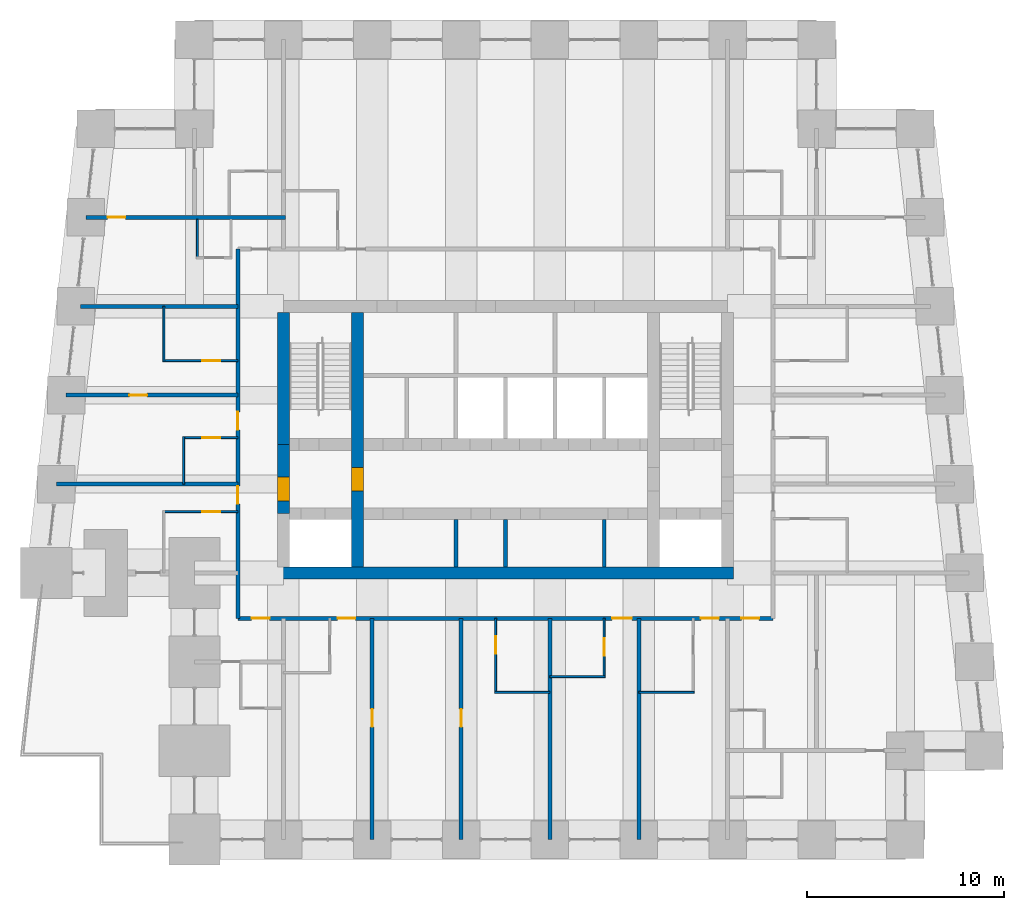
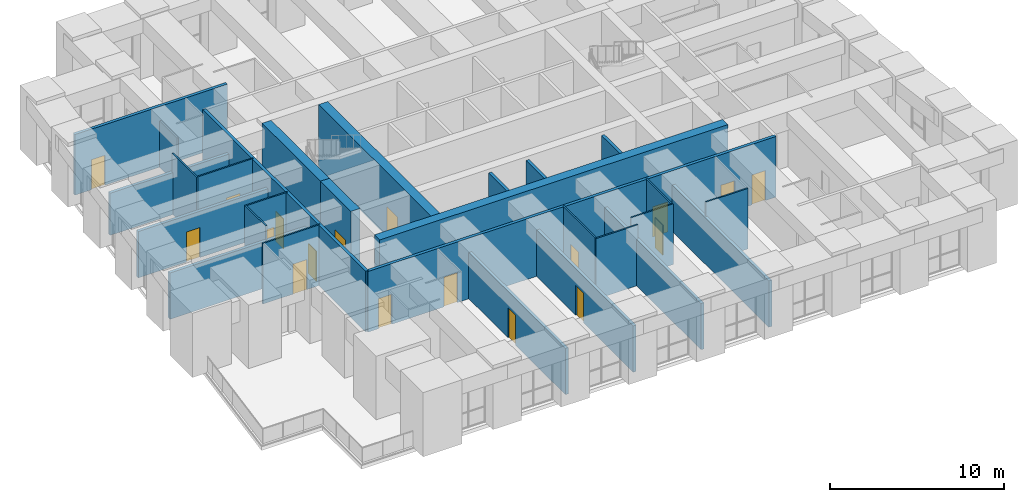
# One storey, part 12 of 16: 28 walls, 18 doors, 18 openings.
"""IFC4 building model written with IfcOpenShell, lengths in metres."""

from ifc_helpers import new_model, si_unit, direction, frame, frame_2d, origin, place, context, subcontext, project, spatial, rectangle, extrude, material, layer, layer_set, type_object, element, fill, save


model = new_model("IFC4")

# Units and contexts
model_context = context("Model", 3, precision=1e-05, world=origin(), true_north=direction((0.0, 1.0)))
body_context = subcontext(model_context, "Body", "Model", "MODEL_VIEW")
ifc_project = project(units=[si_unit("LENGTHUNIT", "METRE"), si_unit("AREAUNIT", "SQUARE_METRE"), si_unit("VOLUMEUNIT", "CUBIC_METRE"), si_unit("PLANEANGLEUNIT", "RADIAN"), si_unit("MASSUNIT", "GRAM", prefix="KILO")], contexts=[model_context])

# Site, building, storey
site_placement = place(None, origin())
site = spatial("IfcSite", under=ifc_project, at=site_placement, CompositionType="ELEMENT")
building_placement = place(site_placement, origin())
building = spatial("IfcBuilding", under=site, at=building_placement, Name="Kilele Tower Hotel", CompositionType="ELEMENT")
storey_placement = place(building_placement, frame((0.0, 0.0, 157.89990234375)))
storey = spatial("IfcBuildingStorey", under=building, at=storey_placement, Name="L40", CompositionType="ELEMENT", Elevation=157.89990234375)

# Wall
ifc_material_1 = material(Name="Moisture-resistant board")
ifc_layer_1 = layer(ifc_material_1, 0.10009765625)
ifc_layer_set_1 = layer_set([ifc_layer_1], Name="Moisture-resistant board")
wall_type_1 = type_object("IfcWallType", Name="Bathroom partition 100", PredefinedType="PLUMBINGWALL", material=ifc_layer_set_1)
wall_1_placement = place(storey_placement, frame((24.199951171875, 7.449951171875, 0.0), z_axis=(0.0, 0.0, 1.0), x_axis=(1.0, 0.0, 0.0)))
element("IfcWall", 1, at=wall_1_placement, inside=storey, type_object=wall_type_1, Name="Bathroom partition 100 L40", PredefinedType="PLUMBINGWALL", context=body_context, shape_type="SweptSolid", body=[
    extrude(rectangle(XDim=2.800048828125, YDim=0.10009765625, at=frame_2d((1.39990234375, 0.0))), origin(), (0.0, 0.0, 1.0), 4.25),
])

# Wall, opening, door
wall_2_placement = place(storey_placement, frame((24.25, 11.199951171875, 0.0), z_axis=(0.0, 0.0, 1.0), x_axis=(0.0, -1.0, 0.0)))
wall_2 = element("IfcWall", 2, at=wall_2_placement, inside=storey, type_object=wall_type_1, Name="Bathroom partition 100 L40", PredefinedType="PLUMBINGWALL", context=body_context, shape_type="SweptSolid", body=[
    extrude(rectangle(XDim=3.800048828125, YDim=0.10009765625, at=frame_2d((1.89990234375, 0.0))), origin(), (0.0, 0.0, 1.0), 4.25),
])
opening_1_placement = place(wall_2_placement, frame((1.7998046875, 0.0, 0.0), z_axis=(0.0, 0.0, 1.0), x_axis=(-1.0, 0.0, 0.0)))
opening_1 = element("IfcOpeningElement", 3, at=opening_1_placement, cuts=wall_2, Name="Opening D2A", PredefinedType="OPENING", context=body_context, shape_type="SweptSolid", body=[
    extrude(rectangle(XDim=0.89990234375, YDim=2.10009765625, at=frame_2d((0.449951171875, 1.050048828125))), frame((0.0, 0.06005859375, 0.0), z_axis=(0.0, -1.0, 0.0), x_axis=(1.0, 0.0, 0.0)), (0.0, 0.0, 1.0), 0.1201171875),
])
ifc_material_2 = material(Name="Timber door leaf in hardwood frame", Category="wood")
door_type_1 = type_object("IfcDoorType", Name="Bathroom door 900", OperationType="SINGLE_SWING_LEFT", PredefinedType="DOOR", material=ifc_material_2)
door_1_placement = place(opening_1_placement, origin())
door_1 = element("IfcDoor", 4, at=door_1_placement, inside=storey, type_object=door_type_1, Name="Bathroom door 4003B", OperationType="SINGLE_SWING_RIGHT", OverallHeight=2.10009765625, OverallWidth=0.89990234375, PredefinedType="DOOR", context=body_context, shape_type="SweptSolid", body=[
    extrude(rectangle(XDim=0.89990234375, YDim=2.10009765625, at=frame_2d((0.449951171875, 1.050048828125))), frame((0.0, 0.02490234375, 0.0), z_axis=(0.0, -1.0, 0.0), x_axis=(1.0, 0.0, 0.0)), (0.0, 0.0, 1.0), 0.050048828125),
])
fill(opening_1, door_1)

# Wall
wall_3_placement = place(storey_placement, frame((27.0, 8.25, 0.0), z_axis=(0.0, 0.0, 1.0), x_axis=(1.0, 0.0, 0.0)))
element("IfcWall", 5, at=wall_3_placement, inside=storey, type_object=wall_type_1, Name="Bathroom partition 100 L40", PredefinedType="PLUMBINGWALL", context=body_context, shape_type="SweptSolid", body=[
    extrude(rectangle(XDim=2.800048828125, YDim=0.10009765625, at=frame_2d((1.39990234375, 0.0))), origin(), (0.0, 0.0, 1.0), 4.25),
])

# Wall, opening, door
wall_4_placement = place(storey_placement, frame((29.75, 11.199951171875, 0.0), z_axis=(0.0, 0.0, 1.0), x_axis=(0.0, -1.0, 0.0)))
wall_4 = element("IfcWall", 6, at=wall_4_placement, inside=storey, type_object=wall_type_1, Name="Bathroom partition 100 L40", PredefinedType="PLUMBINGWALL", context=body_context, shape_type="SweptSolid", body=[
    extrude(rectangle(XDim=3.0, YDim=0.10009765625, at=frame_2d((1.5, 0.0))), origin(), (0.0, 0.0, 1.0), 4.25),
])
opening_2_placement = place(wall_4_placement, frame((1.0, 0.0, 0.0)))
opening_2 = element("IfcOpeningElement", 7, at=opening_2_placement, cuts=wall_4, Name="Opening D2A", PredefinedType="OPENING", context=body_context, shape_type="SweptSolid", body=[
    extrude(rectangle(XDim=0.89990234375, YDim=2.10009765625, at=frame_2d((0.449951171875, 1.050048828125))), frame((0.0, 0.06005859375, 0.0), z_axis=(0.0, -1.0, 0.0), x_axis=(1.0, 0.0, 0.0)), (0.0, 0.0, 1.0), 0.1201171875),
])
door_2_placement = place(opening_2_placement, origin())
door_2 = element("IfcDoor", 8, at=door_2_placement, inside=storey, type_object=door_type_1, Name="Bathroom door 4004B", OperationType="SINGLE_SWING_LEFT", OverallHeight=2.10009765625, OverallWidth=0.89990234375, PredefinedType="DOOR", context=body_context, shape_type="SweptSolid", body=[
    extrude(rectangle(XDim=0.89990234375, YDim=2.10009765625, at=frame_2d((0.449951171875, 1.050048828125))), frame((0.0, 0.02490234375, 0.0), z_axis=(0.0, -1.0, 0.0), x_axis=(1.0, 0.0, 0.0)), (0.0, 0.0, 1.0), 0.050048828125),
])
fill(opening_2, door_2)

# Wall
wall_5_placement = place(storey_placement, frame((31.5, 7.449951171875, 0.0), z_axis=(0.0, 0.0, 1.0), x_axis=(1.0, 0.0, 0.0)))
element("IfcWall", 9, at=wall_5_placement, inside=storey, type_object=wall_type_1, Name="Bathroom partition 100 L40", PredefinedType="PLUMBINGWALL", context=body_context, shape_type="SweptSolid", body=[
    extrude(rectangle(XDim=2.800048828125, YDim=0.10009765625, at=frame_2d((1.39990234375, 0.0))), origin(), (0.0, 0.0, 1.0), 4.25),
])

# Wall, opening, door
wall_6_placement = place(storey_placement, frame((11.199951171875, 16.60009765625, 0.0), z_axis=(0.0, 0.0, 1.0), x_axis=(-1.0, 0.0, 0.0)))
wall_6 = element("IfcWall", 10, at=wall_6_placement, inside=storey, type_object=wall_type_1, Name="Bathroom partition 100 L40", PredefinedType="PLUMBINGWALL", context=body_context, shape_type="SweptSolid", body=[
    extrude(rectangle(XDim=3.800048828125, YDim=0.10009765625, at=frame_2d((1.89990234375, 0.0))), origin(), (0.0, 0.0, 1.0), 4.25),
])
opening_3_placement = place(wall_6_placement, frame((1.7998046875, 0.0, 0.0), z_axis=(0.0, 0.0, 1.0), x_axis=(-1.0, 0.0, 0.0)))
opening_3 = element("IfcOpeningElement", 11, at=opening_3_placement, cuts=wall_6, Name="Opening D2A", PredefinedType="OPENING", context=body_context, shape_type="SweptSolid", body=[
    extrude(rectangle(XDim=0.89990234375, YDim=2.10009765625, at=frame_2d((0.449951171875, 1.050048828125))), frame((0.0, 0.06005859375, 0.0), z_axis=(0.0, -1.0, 0.0), x_axis=(1.0, 0.0, 0.0)), (0.0, 0.0, 1.0), 0.1201171875),
])
door_3_placement = place(opening_3_placement, origin())
door_3 = element("IfcDoor", 12, at=door_3_placement, inside=storey, type_object=door_type_1, Name="Bathroom door 4010B", OperationType="SINGLE_SWING_RIGHT", OverallHeight=2.10009765625, OverallWidth=0.89990234375, PredefinedType="DOOR", context=body_context, shape_type="SweptSolid", body=[
    extrude(rectangle(XDim=0.89990234375, YDim=2.10009765625, at=frame_2d((0.449951171875, 1.050048828125))), frame((0.0, 0.02490234375, 0.0), z_axis=(0.0, -1.0, 0.0), x_axis=(1.0, 0.0, 0.0)), (0.0, 0.0, 1.0), 0.050048828125),
])
fill(opening_3, door_3)

# Wall
wall_7_placement = place(storey_placement, frame((8.449951171875, 18.0, 0.0), z_axis=(0.0, 0.0, 1.0), x_axis=(0.0, 1.0, 0.0)))
element("IfcWall", 13, at=wall_7_placement, inside=storey, type_object=wall_type_1, Name="Bathroom partition 100 L40", PredefinedType="PLUMBINGWALL", context=body_context, shape_type="SweptSolid", body=[
    extrude(rectangle(XDim=2.39990234375, YDim=0.10009765625, at=frame_2d((1.199951171875, 0.0))), origin(), (0.0, 0.0, 1.0), 4.25),
])

# Wall, opening, door
wall_8_placement = place(storey_placement, frame((11.199951171875, 20.35009765625, 0.0), z_axis=(0.0, 0.0, 1.0), x_axis=(-1.0, 0.0, 0.0)))
wall_8 = element("IfcWall", 14, at=wall_8_placement, inside=storey, type_object=wall_type_1, Name="Bathroom partition 100 L40", PredefinedType="PLUMBINGWALL", context=body_context, shape_type="SweptSolid", body=[
    extrude(rectangle(XDim=2.800048828125, YDim=0.10009765625, at=frame_2d((1.39990234375, 0.0))), origin(), (0.0, 0.0, 1.0), 4.25),
])
opening_4_placement = place(wall_8_placement, frame((1.7998046875, 0.0, 0.0), z_axis=(0.0, 0.0, 1.0), x_axis=(-1.0, 0.0, 0.0)))
opening_4 = element("IfcOpeningElement", 15, at=opening_4_placement, cuts=wall_8, Name="Opening D2A", PredefinedType="OPENING", context=body_context, shape_type="SweptSolid", body=[
    extrude(rectangle(XDim=0.89990234375, YDim=2.10009765625, at=frame_2d((0.449951171875, 1.050048828125))), frame((0.0, 0.06005859375, 0.0), z_axis=(0.0, -1.0, 0.0), x_axis=(1.0, 0.0, 0.0)), (0.0, 0.0, 1.0), 0.1201171875),
])
door_4_placement = place(opening_4_placement, origin())
door_4 = element("IfcDoor", 16, at=door_4_placement, inside=storey, type_object=door_type_1, Name="Bathroom door 4011B", OperationType="SINGLE_SWING_RIGHT", OverallHeight=2.10009765625, OverallWidth=0.89990234375, PredefinedType="DOOR", context=body_context, shape_type="SweptSolid", body=[
    extrude(rectangle(XDim=0.89990234375, YDim=2.10009765625, at=frame_2d((0.449951171875, 1.050048828125))), frame((0.0, 0.02490234375, 0.0), z_axis=(0.0, -1.0, 0.0), x_axis=(1.0, 0.0, 0.0)), (0.0, 0.0, 1.0), 0.050048828125),
])
fill(opening_4, door_4)

# Wall
wall_9_placement = place(storey_placement, frame((7.449951171875, 24.199951171875, 0.0), z_axis=(0.0, 0.0, 1.0), x_axis=(0.0, 1.0, 0.0)))
element("IfcWall", 17, at=wall_9_placement, inside=storey, type_object=wall_type_1, Name="Bathroom partition 100 L40", PredefinedType="PLUMBINGWALL", context=body_context, shape_type="SweptSolid", body=[
    extrude(rectangle(XDim=2.800048828125, YDim=0.10009765625, at=frame_2d((1.39990234375, 0.0))), origin(), (0.0, 0.0, 1.0), 4.25),
])

# Wall, opening, door
wall_10_placement = place(storey_placement, frame((11.199951171875, 24.25, 0.0), z_axis=(0.0, 0.0, 1.0), x_axis=(-1.0, 0.0, 0.0)))
wall_10 = element("IfcWall", 18, at=wall_10_placement, inside=storey, type_object=wall_type_1, Name="Bathroom partition 100 L40", PredefinedType="PLUMBINGWALL", context=body_context, shape_type="SweptSolid", body=[
    extrude(rectangle(XDim=3.800048828125, YDim=0.10009765625, at=frame_2d((1.89990234375, 0.0))), origin(), (0.0, 0.0, 1.0), 4.25),
])
opening_5_placement = place(wall_10_placement, frame((0.89990234375, 0.0, 0.0)))
opening_5 = element("IfcOpeningElement", 19, at=opening_5_placement, cuts=wall_10, Name="Opening D2A", PredefinedType="OPENING", context=body_context, shape_type="SweptSolid", body=[
    extrude(rectangle(XDim=0.89990234375, YDim=2.10009765625, at=frame_2d((0.449951171875, 1.050048828125))), frame((0.0, 0.06005859375, 0.0), z_axis=(0.0, -1.0, 0.0), x_axis=(1.0, 0.0, 0.0)), (0.0, 0.0, 1.0), 0.1201171875),
])
door_5_placement = place(opening_5_placement, origin())
door_5 = element("IfcDoor", 20, at=door_5_placement, inside=storey, type_object=door_type_1, Name="Bathroom door 4012B", OperationType="SINGLE_SWING_LEFT", OverallHeight=2.10009765625, OverallWidth=0.89990234375, PredefinedType="DOOR", context=body_context, shape_type="SweptSolid", body=[
    extrude(rectangle(XDim=0.89990234375, YDim=2.10009765625, at=frame_2d((0.449951171875, 1.050048828125))), frame((0.0, 0.02490234375, 0.0), z_axis=(0.0, -1.0, 0.0), x_axis=(1.0, 0.0, 0.0)), (0.0, 0.0, 1.0), 0.050048828125),
])
fill(opening_5, door_5)

# Walls
wall_11_placement = place(storey_placement, frame((9.14990234375, 31.39990234375, 0.0), z_axis=(0.0, 0.0, 1.0), x_axis=(0.0, -1.0, 0.0)))
element("IfcWall", 21, at=wall_11_placement, inside=storey, type_object=wall_type_1, Name="Bathroom partition 100 L40", PredefinedType="PLUMBINGWALL", context=body_context, shape_type="SweptSolid", body=[
    extrude(rectangle(XDim=2.0, YDim=0.10009765625, at=frame_2d((1.0, 0.0))), origin(), (0.0, 0.0, 1.0), 3.25),
])
ifc_material_3 = material(Name="Concrete C70/85", Category="concrete")
ifc_layer_2 = layer(ifc_material_3, 0.60009765625)
ifc_layer_set_2 = layer_set([ifc_layer_2], Name="Concrete C70/85")
wall_type_2 = type_object("IfcWallType", Name="Core wall 600 C70/85", PredefinedType="SHEAR", material=ifc_layer_set_2)
wall_12_placement = place(storey_placement, frame((13.199951171875, 13.5, 0.0), z_axis=(0.0, 0.0, 1.0), x_axis=(1.0, 0.0, 0.0)))
element("IfcWall", 22, at=wall_12_placement, inside=storey, type_object=wall_type_2, Name="Core wall S L40", PredefinedType="SHEAR", context=body_context, shape_type="SweptSolid", body=[
    extrude(rectangle(XDim=23.10009765625, YDim=0.60009765625, at=frame_2d((11.550048828125, 0.0))), origin(), (0.0, 0.0, 1.0), 4.5),
])

# Wall, opening, door
wall_13_placement = place(storey_placement, frame((17.25, 13.800048828125, 0.0), z_axis=(0.0, 0.0, 1.0), x_axis=(0.0, 1.0, 0.0)))
wall_13 = element("IfcWall", 23, at=wall_13_placement, inside=storey, type_object=wall_type_2, Name="Core wall IW L40", PredefinedType="SHEAR", context=body_context, shape_type="SweptSolid", body=[
    extrude(rectangle(XDim=12.89990234375, YDim=0.60009765625, at=frame_2d((6.449951171875, 0.0))), origin(), (0.0, 0.0, 1.0), 4.5),
])
opening_6_placement = place(wall_13_placement, frame((3.85009765625, 0.0, 0.0)))
opening_6 = element("IfcOpeningElement", 24, at=opening_6_placement, cuts=wall_13, Name="Opening D4", PredefinedType="OPENING", context=body_context, shape_type="SweptSolid", body=[
    extrude(rectangle(XDim=1.199951171875, YDim=2.10009765625, at=frame_2d((0.60009765625, 1.050048828125))), frame((0.0, 0.31005859375, 0.0), z_axis=(0.0, -1.0, 0.0), x_axis=(1.0, 0.0, 0.0)), (0.0, 0.0, 1.0), 0.6201171875),
])
ifc_material_4 = material(Name="Timber door leaf in hardwood frame", Category="wood")
door_type_2 = type_object("IfcDoorType", Name="Firefighting lobby door 1200", OperationType="SINGLE_SWING_LEFT", PredefinedType="DOOR", material=ifc_material_4)
door_6_placement = place(opening_6_placement, origin())
door_6 = element("IfcDoor", 25, at=door_6_placement, inside=storey, type_object=door_type_2, Name="Lobby door L40", OperationType="SINGLE_SWING_LEFT", OverallHeight=2.10009765625, OverallWidth=1.199951171875, PredefinedType="DOOR", context=body_context, shape_type="SweptSolid", body=[
    extrude(rectangle(XDim=1.199951171875, YDim=2.10009765625, at=frame_2d((0.60009765625, 1.050048828125))), frame((0.0, 0.2998046875, 0.0), z_axis=(0.0, -1.0, 0.0), x_axis=(1.0, 0.0, 0.0)), (0.0, 0.0, 1.0), 0.599609375),
])
fill(opening_6, door_6)

# Wall
wall_14_placement = place(storey_placement, frame((13.5, 26.699951171875, 0.0), z_axis=(0.0, 0.0, 1.0), x_axis=(0.0, -1.0, 0.0)))
element("IfcWall", 26, at=wall_14_placement, inside=storey, type_object=wall_type_2, Name="Core wall W1 L40", PredefinedType="SHEAR", context=body_context, shape_type="SweptSolid", body=[
    extrude(rectangle(XDim=6.699951171875, YDim=0.60009765625, at=frame_2d((3.35009765625, 0.0))), origin(), (0.0, 0.0, 1.0), 4.5),
])

# Wall, opening, door
wall_15_placement = place(storey_placement, frame((13.5, 20.0, 0.0), z_axis=(0.0, 0.0, 1.0), x_axis=(0.0, -1.0, 0.0)))
wall_15 = element("IfcWall", 27, at=wall_15_placement, inside=storey, type_object=wall_type_2, Name="Core wall W2 L40", PredefinedType="SHEAR", context=body_context, shape_type="SweptSolid", body=[
    extrude(rectangle(XDim=3.5, YDim=0.60009765625, at=frame_2d((1.75, 0.0))), origin(), (0.0, 0.0, 1.0), 4.5),
])
opening_7_placement = place(wall_15_placement, frame((1.64990234375, 0.0, 0.0)))
opening_7 = element("IfcOpeningElement", 28, at=opening_7_placement, cuts=wall_15, Name="Opening D4", PredefinedType="OPENING", context=body_context, shape_type="SweptSolid", body=[
    extrude(rectangle(XDim=1.199951171875, YDim=2.10009765625, at=frame_2d((0.60009765625, 1.050048828125))), frame((0.0, 0.31005859375, 0.0), z_axis=(0.0, -1.0, 0.0), x_axis=(1.0, 0.0, 0.0)), (0.0, 0.0, 1.0), 0.6201171875),
])
door_7_placement = place(opening_7_placement, origin())
door_7 = element("IfcDoor", 29, at=door_7_placement, inside=storey, type_object=door_type_2, Name="Lobby door L40", OperationType="SINGLE_SWING_RIGHT", OverallHeight=2.10009765625, OverallWidth=1.199951171875, PredefinedType="DOOR", context=body_context, shape_type="SweptSolid", body=[
    extrude(rectangle(XDim=1.199951171875, YDim=2.10009765625, at=frame_2d((0.60009765625, 1.050048828125))), frame((0.0, 0.2998046875, 0.0), z_axis=(0.0, -1.0, 0.0), x_axis=(1.0, 0.0, 0.0)), (0.0, 0.0, 1.0), 0.599609375),
])
fill(opening_7, door_7)

# Wall, openings, doors
ifc_material_5 = material(Name="Blockwork, plastered both sides", Category="masonry")
ifc_layer_3 = layer(ifc_material_5, 0.199951171875)
ifc_layer_set_3 = layer_set([ifc_layer_3], Name="Blockwork, plastered both sides")
wall_type_3 = type_object("IfcWallType", Name="Corridor wall 200", PredefinedType="PARTITIONING", material=ifc_layer_set_3)
wall_16_placement = place(storey_placement, frame((11.199951171875, 11.199951171875, 0.0), z_axis=(0.0, 0.0, 1.0), x_axis=(1.0, 0.0, 0.0)))
wall_16 = element("IfcWall", 30, at=wall_16_placement, inside=storey, type_object=wall_type_3, Name="Corridor wall 200 L40", PredefinedType="PARTITIONING", context=body_context, shape_type="SweptSolid", body=[
    extrude(rectangle(XDim=27.10009765625, YDim=0.199951171875, at=frame_2d((13.550048828125, 0.0))), origin(), (0.0, 0.0, 1.0), 4.25),
])
opening_8_placement = place(wall_16_placement, frame((5.949951171875, 0.0, 0.0), z_axis=(0.0, 0.0, 1.0), x_axis=(-1.0, 0.0, 0.0)))
opening_8 = element("IfcOpeningElement", 31, at=opening_8_placement, cuts=wall_16, Name="Opening D1", PredefinedType="OPENING", context=body_context, shape_type="SweptSolid", body=[
    extrude(rectangle(XDim=0.89990234375, YDim=2.10009765625, at=frame_2d((0.449951171875, 1.050048828125))), frame((0.0, 0.10986328125, 0.0), z_axis=(0.0, -1.0, 0.0), x_axis=(1.0, 0.0, 0.0)), (0.0, 0.0, 1.0), 0.219970703125),
])
opening_9_placement = place(wall_16_placement, frame((19.949951171875, 0.0, 0.0), z_axis=(0.0, 0.0, 1.0), x_axis=(-1.0, 0.0, 0.0)))
opening_9 = element("IfcOpeningElement", 32, at=opening_9_placement, cuts=wall_16, Name="Opening D1A", PredefinedType="OPENING", context=body_context, shape_type="SweptSolid", body=[
    extrude(rectangle(XDim=1.0, YDim=2.10009765625, at=frame_2d((0.5, 1.050048828125))), frame((0.0, 0.10986328125, 0.0), z_axis=(0.0, -1.0, 0.0), x_axis=(1.0, 0.0, 0.0)), (0.0, 0.0, 1.0), 0.219970703125),
])
opening_10_placement = place(wall_16_placement, frame((24.349853515625, 0.0, 0.0), z_axis=(0.0, 0.0, 1.0), x_axis=(-1.0, 0.0, 0.0)))
opening_10 = element("IfcOpeningElement", 33, at=opening_10_placement, cuts=wall_16, Name="Opening D1", PredefinedType="OPENING", context=body_context, shape_type="SweptSolid", body=[
    extrude(rectangle(XDim=0.89990234375, YDim=2.10009765625, at=frame_2d((0.449951171875, 1.050048828125))), frame((0.0, 0.10986328125, 0.0), z_axis=(0.0, -1.0, 0.0), x_axis=(1.0, 0.0, 0.0)), (0.0, 0.0, 1.0), 0.219970703125),
])
opening_11_placement = place(wall_16_placement, frame((1.599853515625, 0.0, 0.0), z_axis=(0.0, 0.0, 1.0), x_axis=(-1.0, 0.0, 0.0)))
opening_11 = element("IfcOpeningElement", 34, at=opening_11_placement, cuts=wall_16, Name="Opening D1", PredefinedType="OPENING", context=body_context, shape_type="SweptSolid", body=[
    extrude(rectangle(XDim=0.89990234375, YDim=2.10009765625, at=frame_2d((0.449951171875, 1.050048828125))), frame((0.0, 0.10986328125, 0.0), z_axis=(0.0, -1.0, 0.0), x_axis=(1.0, 0.0, 0.0)), (0.0, 0.0, 1.0), 0.219970703125),
])
opening_12_placement = place(wall_16_placement, frame((26.39990234375, 0.0, 0.0), z_axis=(0.0, 0.0, 1.0), x_axis=(-1.0, 0.0, 0.0)))
opening_12 = element("IfcOpeningElement", 35, at=opening_12_placement, cuts=wall_16, Name="Opening D1", PredefinedType="OPENING", context=body_context, shape_type="SweptSolid", body=[
    extrude(rectangle(XDim=0.89990234375, YDim=2.10009765625, at=frame_2d((0.449951171875, 1.050048828125))), frame((0.0, 0.10986328125, 0.0), z_axis=(0.0, -1.0, 0.0), x_axis=(1.0, 0.0, 0.0)), (0.0, 0.0, 1.0), 0.219970703125),
])
ifc_material_6 = material(Name="Timber door leaf in hardwood frame", Category="wood")
door_type_3 = type_object("IfcDoorType", Name="Guest room entrance door 1000", OperationType="SINGLE_SWING_LEFT", PredefinedType="DOOR", material=ifc_material_6)
door_8_placement = place(opening_9_placement, origin())
door_8 = element("IfcDoor", 36, at=door_8_placement, inside=storey, type_object=door_type_3, Name="Room entrance 4004", OperationType="SINGLE_SWING_LEFT", OverallHeight=2.10009765625, OverallWidth=1.0, PredefinedType="DOOR", context=body_context, shape_type="SweptSolid", body=[
    extrude(rectangle(XDim=1.0, YDim=2.10009765625, at=frame_2d((0.5, 1.050048828125))), frame((0.0, 0.02490234375, 0.0), z_axis=(0.0, -1.0, 0.0), x_axis=(1.0, 0.0, 0.0)), (0.0, 0.0, 1.0), 0.050048828125),
])
fill(opening_9, door_8)
ifc_material_7 = material(Name="Timber door leaf in hardwood frame", Category="wood")
door_type_4 = type_object("IfcDoorType", Name="Guest room entrance door 900", OperationType="SINGLE_SWING_LEFT", PredefinedType="DOOR", material=ifc_material_7)
door_9_placement = place(opening_8_placement, origin())
door_9 = element("IfcDoor", 37, at=door_9_placement, inside=storey, type_object=door_type_4, Name="Room entrance 4001", OperationType="SINGLE_SWING_RIGHT", OverallHeight=2.10009765625, OverallWidth=0.89990234375, PredefinedType="DOOR", context=body_context, shape_type="SweptSolid", body=[
    extrude(rectangle(XDim=0.89990234375, YDim=2.10009765625, at=frame_2d((0.449951171875, 1.050048828125))), frame((0.0, 0.02490234375, 0.0), z_axis=(0.0, -1.0, 0.0), x_axis=(1.0, 0.0, 0.0)), (0.0, 0.0, 1.0), 0.050048828125),
])
fill(opening_8, door_9)
door_10_placement = place(opening_10_placement, origin())
door_10 = element("IfcDoor", 38, at=door_10_placement, inside=storey, type_object=door_type_4, Name="Room entrance 4005", OperationType="SINGLE_SWING_LEFT", OverallHeight=2.10009765625, OverallWidth=0.89990234375, PredefinedType="DOOR", context=body_context, shape_type="SweptSolid", body=[
    extrude(rectangle(XDim=0.89990234375, YDim=2.10009765625, at=frame_2d((0.449951171875, 1.050048828125))), frame((0.0, 0.02490234375, 0.0), z_axis=(0.0, -1.0, 0.0), x_axis=(1.0, 0.0, 0.0)), (0.0, 0.0, 1.0), 0.050048828125),
])
fill(opening_10, door_10)
door_11_placement = place(opening_11_placement, origin())
door_11 = element("IfcDoor", 39, at=door_11_placement, inside=storey, type_object=door_type_4, Name="Room entrance 4013", OperationType="SINGLE_SWING_LEFT", OverallHeight=2.10009765625, OverallWidth=0.89990234375, PredefinedType="DOOR", context=body_context, shape_type="SweptSolid", body=[
    extrude(rectangle(XDim=0.89990234375, YDim=2.10009765625, at=frame_2d((0.449951171875, 1.050048828125))), frame((0.0, 0.02490234375, 0.0), z_axis=(0.0, -1.0, 0.0), x_axis=(1.0, 0.0, 0.0)), (0.0, 0.0, 1.0), 0.050048828125),
])
fill(opening_11, door_11)
door_12_placement = place(opening_12_placement, origin())
door_12 = element("IfcDoor", 40, at=door_12_placement, inside=storey, type_object=door_type_4, Name="Room entrance 4015", OperationType="SINGLE_SWING_RIGHT", OverallHeight=2.10009765625, OverallWidth=0.89990234375, PredefinedType="DOOR", context=body_context, shape_type="SweptSolid", body=[
    extrude(rectangle(XDim=0.89990234375, YDim=2.10009765625, at=frame_2d((0.449951171875, 1.050048828125))), frame((0.0, 0.02490234375, 0.0), z_axis=(0.0, -1.0, 0.0), x_axis=(1.0, 0.0, 0.0)), (0.0, 0.0, 1.0), 0.050048828125),
])
fill(opening_12, door_12)

wall_17_placement = place(storey_placement, frame((11.199951171875, 11.199951171875, 0.0), z_axis=(0.0, 0.0, 1.0), x_axis=(0.0, 1.0, 0.0)))
wall_17 = element("IfcWall", 41, at=wall_17_placement, inside=storey, type_object=wall_type_3, Name="Corridor wall 200 L40", PredefinedType="PARTITIONING", context=body_context, shape_type="SweptSolid", body=[
    extrude(rectangle(XDim=18.699951171875, YDim=0.199951171875, at=frame_2d((9.35009765625, 0.0))), origin(), (0.0, 0.0, 1.0), 4.25),
])
opening_13_placement = place(wall_17_placement, frame((5.800048828125, 0.0, 0.0)))
opening_13 = element("IfcOpeningElement", 42, at=opening_13_placement, cuts=wall_17, Name="Opening D1", PredefinedType="OPENING", context=body_context, shape_type="SweptSolid", body=[
    extrude(rectangle(XDim=0.89990234375, YDim=2.10009765625, at=frame_2d((0.449951171875, 1.050048828125))), frame((0.0, 0.10986328125, 0.0), z_axis=(0.0, -1.0, 0.0), x_axis=(1.0, 0.0, 0.0)), (0.0, 0.0, 1.0), 0.219970703125),
])
opening_14_placement = place(wall_17_placement, frame((9.550048828125, 0.0, 0.0)))
opening_14 = element("IfcOpeningElement", 43, at=opening_14_placement, cuts=wall_17, Name="Opening D1", PredefinedType="OPENING", context=body_context, shape_type="SweptSolid", body=[
    extrude(rectangle(XDim=0.89990234375, YDim=2.10009765625, at=frame_2d((0.449951171875, 1.050048828125))), frame((0.0, 0.10986328125, 0.0), z_axis=(0.0, -1.0, 0.0), x_axis=(1.0, 0.0, 0.0)), (0.0, 0.0, 1.0), 0.219970703125),
])
door_13_placement = place(opening_13_placement, origin())
door_13 = element("IfcDoor", 44, at=door_13_placement, inside=storey, type_object=door_type_4, Name="Room entrance 4010", OperationType="SINGLE_SWING_RIGHT", OverallHeight=2.10009765625, OverallWidth=0.89990234375, PredefinedType="DOOR", context=body_context, shape_type="SweptSolid", body=[
    extrude(rectangle(XDim=0.89990234375, YDim=2.10009765625, at=frame_2d((0.449951171875, 1.050048828125))), frame((0.0, 0.02490234375, 0.0), z_axis=(0.0, -1.0, 0.0), x_axis=(1.0, 0.0, 0.0)), (0.0, 0.0, 1.0), 0.050048828125),
])
fill(opening_13, door_13)
door_14_placement = place(opening_14_placement, origin())
door_14 = element("IfcDoor", 45, at=door_14_placement, inside=storey, type_object=door_type_4, Name="Room entrance 4011", OperationType="SINGLE_SWING_LEFT", OverallHeight=2.10009765625, OverallWidth=0.89990234375, PredefinedType="DOOR", context=body_context, shape_type="SweptSolid", body=[
    extrude(rectangle(XDim=0.89990234375, YDim=2.10009765625, at=frame_2d((0.449951171875, 1.050048828125))), frame((0.0, 0.02490234375, 0.0), z_axis=(0.0, -1.0, 0.0), x_axis=(1.0, 0.0, 0.0)), (0.0, 0.0, 1.0), 0.050048828125),
])
fill(opening_14, door_14)

# Wall, opening, door
ifc_material_8 = material(Name="Blockwork, plastered both sides", Category="masonry")
ifc_layer_4 = layer(ifc_material_8, 0.199951171875)
ifc_layer_set_4 = layer_set([ifc_layer_4], Name="Blockwork, plastered both sides")
wall_type_4 = type_object("IfcWallType", Name="Party wall 200", PredefinedType="PARTITIONING", material=ifc_layer_set_4)
wall_18_placement = place(storey_placement, frame((18.0, 11.199951171875, 0.0), z_axis=(0.0, 0.0, 1.0), x_axis=(0.0, -1.0, 0.0)))
wall_18 = element("IfcWall", 46, at=wall_18_placement, inside=storey, type_object=wall_type_4, Name="Party wall 200 L40", PredefinedType="PARTITIONING", context=body_context, shape_type="SweptSolid", body=[
    extrude(rectangle(XDim=11.199951171875, YDim=0.199951171875, at=frame_2d((5.60009765625, 0.0))), origin(), (0.0, 0.0, 1.0), 3.25),
])
opening_15_placement = place(wall_18_placement, frame((4.60009765625, 0.0, 0.0)))
opening_15 = element("IfcOpeningElement", 47, at=opening_15_placement, cuts=wall_18, Name="Opening D3", PredefinedType="OPENING", context=body_context, shape_type="SweptSolid", body=[
    extrude(rectangle(XDim=0.89990234375, YDim=2.10009765625, at=frame_2d((0.449951171875, 1.050048828125))), frame((0.0, 0.10986328125, 0.0), z_axis=(0.0, -1.0, 0.0), x_axis=(1.0, 0.0, 0.0)), (0.0, 0.0, 1.0), 0.219970703125),
])
ifc_material_9 = material(Name="Timber door leaf in hardwood frame", Category="wood")
door_type_5 = type_object("IfcDoorType", Name="Suite internal door 900", OperationType="SINGLE_SWING_LEFT", PredefinedType="DOOR", material=ifc_material_9)
door_15_placement = place(opening_15_placement, origin())
door_15 = element("IfcDoor", 48, at=door_15_placement, inside=storey, type_object=door_type_5, Name="Suite door 4002", OperationType="SINGLE_SWING_LEFT", OverallHeight=2.10009765625, OverallWidth=0.89990234375, PredefinedType="DOOR", context=body_context, shape_type="SweptSolid", body=[
    extrude(rectangle(XDim=0.89990234375, YDim=2.10009765625, at=frame_2d((0.449951171875, 1.050048828125))), frame((0.0, 0.02490234375, 0.0), z_axis=(0.0, -1.0, 0.0), x_axis=(1.0, 0.0, 0.0)), (0.0, 0.0, 1.0), 0.050048828125),
])
fill(opening_15, door_15)

wall_19_placement = place(storey_placement, frame((22.5, 11.199951171875, 0.0), z_axis=(0.0, 0.0, 1.0), x_axis=(0.0, -1.0, 0.0)))
wall_19 = element("IfcWall", 49, at=wall_19_placement, inside=storey, type_object=wall_type_4, Name="Party wall 200 L40", PredefinedType="PARTITIONING", context=body_context, shape_type="SweptSolid", body=[
    extrude(rectangle(XDim=11.199951171875, YDim=0.199951171875, at=frame_2d((5.60009765625, 0.0))), origin(), (0.0, 0.0, 1.0), 3.25),
])
opening_16_placement = place(wall_19_placement, frame((4.60009765625, 0.0, 0.0)))
opening_16 = element("IfcOpeningElement", 50, at=opening_16_placement, cuts=wall_19, Name="Opening D3", PredefinedType="OPENING", context=body_context, shape_type="SweptSolid", body=[
    extrude(rectangle(XDim=0.89990234375, YDim=2.10009765625, at=frame_2d((0.449951171875, 1.050048828125))), frame((0.0, 0.10986328125, 0.0), z_axis=(0.0, -1.0, 0.0), x_axis=(1.0, 0.0, 0.0)), (0.0, 0.0, 1.0), 0.219970703125),
])
door_16_placement = place(opening_16_placement, origin())
door_16 = element("IfcDoor", 51, at=door_16_placement, inside=storey, type_object=door_type_5, Name="Suite door 4003", OperationType="SINGLE_SWING_LEFT", OverallHeight=2.10009765625, OverallWidth=0.89990234375, PredefinedType="DOOR", context=body_context, shape_type="SweptSolid", body=[
    extrude(rectangle(XDim=0.89990234375, YDim=2.10009765625, at=frame_2d((0.449951171875, 1.050048828125))), frame((0.0, 0.02490234375, 0.0), z_axis=(0.0, -1.0, 0.0), x_axis=(1.0, 0.0, 0.0)), (0.0, 0.0, 1.0), 0.050048828125),
])
fill(opening_16, door_16)

# Walls
for number, where, z_axis, x_axis, name in (
    (52, (27.0, 11.199951171875, 0.0), (0.0, 0.0, 1.0), (0.0, -1.0, 0.0), "Party wall 200 L40"),
    (53, (31.5, 11.199951171875, 0.0), (0.0, 0.0, 1.0), (0.0, -1.0, 0.0), "Party wall 200 L40"),
):
    element("IfcWall", number, at=place(storey_placement, frame(where, z_axis=z_axis, x_axis=x_axis)), inside=storey, type_object=wall_type_4, Name=name, PredefinedType="PARTITIONING", context=body_context, shape_type="SweptSolid", body=[
        extrude(rectangle(XDim=11.199951171875, YDim=0.199951171875, at=frame_2d((5.60009765625, 0.0))), origin(), (0.0, 0.0, 1.0), 3.25),
    ])
wall_20_placement = place(storey_placement, frame((11.199951171875, 18.0, 0.0), z_axis=(0.0, 0.0, 1.0), x_axis=(-1.0, 0.0, 0.0)))
element("IfcWall", 54, at=wall_20_placement, inside=storey, type_object=wall_type_4, Name="Party wall 200 L40", PredefinedType="PARTITIONING", context=body_context, shape_type="SweptSolid", body=[
    extrude(rectangle(XDim=9.198974609375, YDim=0.199951171875, at=frame_2d((4.599609375, 0.0))), origin(), (0.0, 0.0, 1.0), 3.25),
])

# Wall, opening, door
wall_21_placement = place(storey_placement, frame((11.199951171875, 22.5, 0.0), z_axis=(0.0, 0.0, 1.0), x_axis=(-1.0, 0.0, 0.0)))
wall_21 = element("IfcWall", 55, at=wall_21_placement, inside=storey, type_object=wall_type_4, Name="Party wall 200 L40", PredefinedType="PARTITIONING", context=body_context, shape_type="SweptSolid", body=[
    extrude(rectangle(XDim=8.698974609375, YDim=0.199951171875, at=frame_2d((4.349609375, 0.0))), origin(), (0.0, 0.0, 1.0), 3.25),
])
opening_17_placement = place(wall_21_placement, frame((4.60009765625, 0.0, 0.0)))
opening_17 = element("IfcOpeningElement", 56, at=opening_17_placement, cuts=wall_21, Name="Opening D3", PredefinedType="OPENING", context=body_context, shape_type="SweptSolid", body=[
    extrude(rectangle(XDim=0.89990234375, YDim=2.10009765625, at=frame_2d((0.449951171875, 1.050048828125))), frame((0.0, 0.10986328125, 0.0), z_axis=(0.0, -1.0, 0.0), x_axis=(1.0, 0.0, 0.0)), (0.0, 0.0, 1.0), 0.219970703125),
])
door_17_placement = place(opening_17_placement, origin())
door_17 = element("IfcDoor", 57, at=door_17_placement, inside=storey, type_object=door_type_5, Name="Suite door 4012", OperationType="SINGLE_SWING_RIGHT", OverallHeight=2.10009765625, OverallWidth=0.89990234375, PredefinedType="DOOR", context=body_context, shape_type="SweptSolid", body=[
    extrude(rectangle(XDim=0.89990234375, YDim=2.10009765625, at=frame_2d((0.449951171875, 1.050048828125))), frame((0.0, 0.02490234375, 0.0), z_axis=(0.0, -1.0, 0.0), x_axis=(1.0, 0.0, 0.0)), (0.0, 0.0, 1.0), 0.050048828125),
])
fill(opening_17, door_17)

# Wall
wall_22_placement = place(storey_placement, frame((11.199951171875, 27.0, 0.0), z_axis=(0.0, 0.0, 1.0), x_axis=(-1.0, 0.0, 0.0)))
element("IfcWall", 58, at=wall_22_placement, inside=storey, type_object=wall_type_4, Name="Party wall 200 L40", PredefinedType="PARTITIONING", context=body_context, shape_type="SweptSolid", body=[
    extrude(rectangle(XDim=7.976806640625, YDim=0.199951171875, at=frame_2d((3.98828125, 0.0))), origin(), (0.0, 0.0, 1.0), 2.9501953125),
])

# Wall, opening, door
wall_23_placement = place(storey_placement, frame((13.60009765625, 31.5, 0.0), z_axis=(0.0, 0.0, 1.0), x_axis=(-1.0, 0.0, 0.0)))
wall_23 = element("IfcWall", 59, at=wall_23_placement, inside=storey, type_object=wall_type_4, Name="Party wall 200 L40", PredefinedType="PARTITIONING", context=body_context, shape_type="SweptSolid", body=[
    extrude(rectangle(XDim=10.09912109375, YDim=0.199951171875, at=frame_2d((5.049560546875, 0.0))), origin(), (0.0, 0.0, 1.0), 4.25),
])
opening_18_placement = place(wall_23_placement, frame((8.09912109375, 0.0, 0.0)))
opening_18 = element("IfcOpeningElement", 60, at=opening_18_placement, cuts=wall_23, Name="Opening D3", PredefinedType="OPENING", context=body_context, shape_type="SweptSolid", body=[
    extrude(rectangle(XDim=0.89990234375, YDim=2.10009765625, at=frame_2d((0.449951171875, 1.050048828125))), frame((0.0, 0.10986328125, 0.0), z_axis=(0.0, -1.0, 0.0), x_axis=(1.0, 0.0, 0.0)), (0.0, 0.0, 1.0), 0.219970703125),
])
door_18_placement = place(opening_18_placement, origin())
door_18 = element("IfcDoor", 61, at=door_18_placement, inside=storey, type_object=door_type_5, Name="Suite door 4022", OperationType="SINGLE_SWING_RIGHT", OverallHeight=2.10009765625, OverallWidth=0.89990234375, PredefinedType="DOOR", context=body_context, shape_type="SweptSolid", body=[
    extrude(rectangle(XDim=0.89990234375, YDim=2.10009765625, at=frame_2d((0.449951171875, 1.050048828125))), frame((0.0, 0.02490234375, 0.0), z_axis=(0.0, -1.0, 0.0), x_axis=(1.0, 0.0, 0.0)), (0.0, 0.0, 1.0), 0.050048828125),
])
fill(opening_18, door_18)

# Walls
ifc_material_10 = material(Name="Blockwork, fire-rated", Category="masonry")
ifc_layer_5 = layer(ifc_material_10, 0.199951171875)
ifc_layer_set_5 = layer_set([ifc_layer_5], Name="Blockwork, fire-rated")
wall_type_5 = type_object("IfcWallType", Name="Shaft wall 200", PredefinedType="PARTITIONING", material=ifc_layer_set_5)
for number, where, z_axis, x_axis, name in (
    (62, (22.25, 13.800048828125, 0.0), (0.0, 0.0, 1.0), (0.0, 1.0, 0.0), "Shaft wall 200 L40"),
    (63, (24.75, 13.800048828125, 0.0), (0.0, 0.0, 1.0), (0.0, 1.0, 0.0), "Shaft wall 200 L40"),
    (64, (29.75, 13.800048828125, 0.0), (0.0, 0.0, 1.0), (0.0, 1.0, 0.0), "Shaft wall 200 L40"),
):
    element("IfcWall", number, at=place(storey_placement, frame(where, z_axis=z_axis, x_axis=x_axis)), inside=storey, type_object=wall_type_5, Name=name, PredefinedType="PARTITIONING", context=body_context, shape_type="SweptSolid", body=[
        extrude(rectangle(XDim=2.39990234375, YDim=0.199951171875, at=frame_2d((1.199951171875, 0.0))), origin(), (0.0, 0.0, 1.0), 4.25),
    ])

save(model, "model.ifc")
